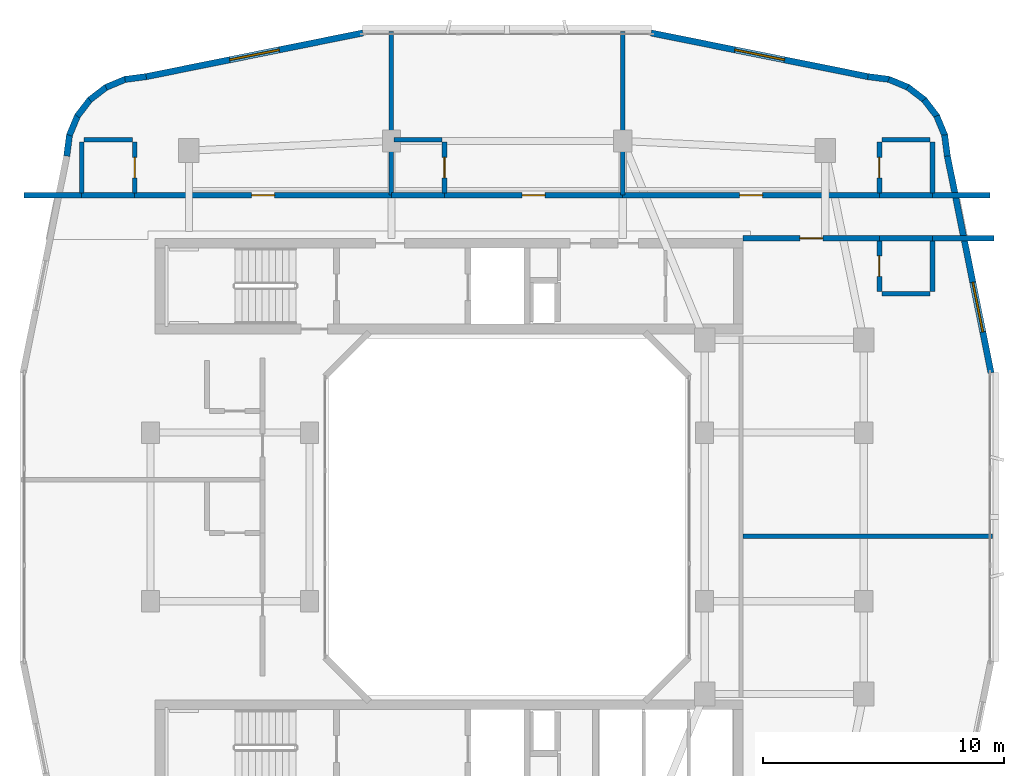
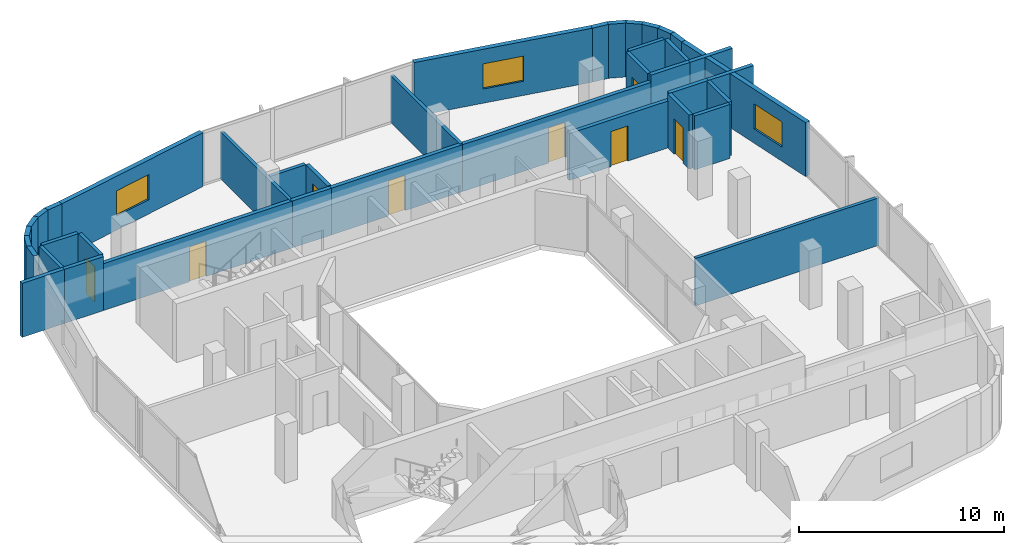
# One storey, part 9 of 14: 40 walls, 8 doors, 3 windows, 11 openings.
"""IFC4 building model written with IfcOpenShell, lengths in metres."""

from ifc_helpers import new_model, si_unit, derived_unit, direction, frame, frame_2d, origin, place, context, subcontext, project, spatial, rectangle, extrude, material, layer, layer_set, type_object, element, fill, save


model = new_model("IFC4")

# Units and contexts
model_context = context("Model", 3, precision=1e-05, world=origin(), true_north=direction((0.0, 1.0)))
body_context = subcontext(model_context, "Body", "Model", "MODEL_VIEW")
ifc_project = project(units=[si_unit("LENGTHUNIT", "METRE"), si_unit("AREAUNIT", "SQUARE_METRE"), si_unit("VOLUMEUNIT", "CUBIC_METRE"), si_unit("PLANEANGLEUNIT", "RADIAN"), si_unit("MASSUNIT", "GRAM", prefix="KILO"), derived_unit("THERMALTRANSMITTANCEUNIT", [(si_unit("POWERUNIT", "WATT"), 1), (si_unit("LENGTHUNIT", "METRE"), -2), (si_unit("THERMODYNAMICTEMPERATUREUNIT", "KELVIN"), -1)])], contexts=[model_context])

# Site, building, storey
site_placement = place(None, origin())
site = spatial("IfcSite", under=ifc_project, at=site_placement, CompositionType="ELEMENT")
building_placement = place(site_placement, origin())
building = spatial("IfcBuilding", under=site, at=building_placement, Name="Kivonza Crest Hotel", CompositionType="ELEMENT")
storey_placement = place(building_placement, frame((0.0, 0.0, 145.0)))
storey = spatial("IfcBuildingStorey", under=building, at=storey_placement, Name="L39", CompositionType="ELEMENT", Elevation=145.0)

# Walls
ifc_material_1 = material(Name="High-density acoustic masonry inter-tenancy wall", Category="masonry")
ifc_layer_1 = layer(ifc_material_1, 0.179931640625)
ifc_layer_set_1 = layer_set([ifc_layer_1], Name="High-density acoustic masonry inter-tenancy wall")
wall_type_1 = type_object("IfcWallType", Name="WL-ACOU-180", PredefinedType="SOLIDWALL", material=ifc_layer_set_1)
for number, where, z_axis, x_axis, name in (
    (1, (16.199951171875, 38.35009765625, 0.0), (0.0, 0.0, 1.0), (0.0, 1.0, 0.0), "L39 interior partition WA-L39-T1N-DIV1"),
    (2, (25.800048828125, 38.35009765625, 0.0), (0.0, 0.0, 1.0), (0.0, 1.0, 0.0), "L39 interior partition WA-L39-T1N-DIV2"),
):
    element("IfcWall", number, at=place(storey_placement, frame(where, z_axis=z_axis, x_axis=x_axis)), inside=storey, type_object=wall_type_1, Name=name, PredefinedType="SOLIDWALL", context=body_context, shape_type="SweptSolid", body=[
        extrude(rectangle(XDim=6.789794921875, YDim=0.179931640625, at=frame_2d((3.39501953125, 0.0))), origin(), (0.0, 0.0, 1.0), 2.794921875),
    ])
wall_1_placement = place(storey_placement, frame((30.800048828125, 24.199951171875, 0.0), z_axis=(0.0, 0.0, 1.0), x_axis=(1.0, 0.0, 0.0)))
element("IfcWall", 3, at=wall_1_placement, inside=storey, type_object=wall_type_1, Name="L39 interior partition WA-L39-T1EC-DIV", PredefinedType="SOLIDWALL", context=body_context, shape_type="SweptSolid", body=[
    extrude(rectangle(XDim=10.33984375, YDim=0.179931640625, at=frame_2d((5.169921875, 0.0))), origin(), (0.0, 0.0, 1.0), 2.8349609375),
])
ifc_material_2 = material(Name="Autoclaved aerated concrete blockwork", Category="masonry")
ifc_layer_2 = layer(ifc_material_2, 0.219970703125)
ifc_layer_set_2 = layer_set([ifc_layer_2], Name="Autoclaved aerated concrete blockwork")
wall_type_2 = type_object("IfcWallType", Name="WL-ACOU-220", PredefinedType="SOLIDWALL", material=ifc_layer_set_2)
wall_2_placement = place(storey_placement, frame((0.9599609375, 38.35009765625, 0.0), z_axis=(0.0, 0.0, 1.0), x_axis=(1.0, 0.0, 0.0)))
element("IfcWall", 4, at=wall_2_placement, inside=storey, type_object=wall_type_2, Name="L39 interior partition WA-L39-N01-XCORR", PredefinedType="SOLIDWALL", context=body_context, shape_type="SweptSolid", body=[
    extrude(rectangle(XDim=2.39013671875, YDim=0.219970703125, at=frame_2d((1.195068359375, 0.0))), origin(), (0.0, 0.0, 1.0), 3.219970703125),
])
wall_3_placement = place(storey_placement, frame((3.35009765625, 38.35009765625, 0.0), z_axis=(0.0, 0.0, 1.0), x_axis=(1.0, 0.0, 0.0)))
element("IfcWall", 5, at=wall_3_placement, inside=storey, type_object=wall_type_2, Name="L39 interior partition WA-L39-N01-BCORR", PredefinedType="SOLIDWALL", context=body_context, shape_type="SweptSolid", body=[
    extrude(rectangle(XDim=2.199951171875, YDim=0.219970703125, at=frame_2d((1.10009765625, 0.0))), origin(), (0.0, 0.0, 1.0), 3.219970703125),
])

# Wall, opening, door
wall_4_placement = place(storey_placement, frame((5.550048828125, 38.35009765625, 0.0), z_axis=(0.0, 0.0, 1.0), x_axis=(1.0, 0.0, 0.0)))
wall_4 = element("IfcWall", 6, at=wall_4_placement, inside=storey, type_object=wall_type_2, Name="L39 interior partition WA-L39-N01-MCORR", PredefinedType="SOLIDWALL", context=body_context, shape_type="SweptSolid", body=[
    extrude(rectangle(XDim=10.64990234375, YDim=0.219970703125, at=frame_2d((5.324951171875, 0.0))), origin(), (0.0, 0.0, 1.0), 2.794921875),
])
opening_1_placement = place(wall_4_placement, frame((4.85009765625, 0.0, 0.0)))
opening_1 = element("IfcOpeningElement", 7, at=opening_1_placement, cuts=wall_4, Name="Opening DU-60", PredefinedType="OPENING", context=body_context, shape_type="SweptSolid", body=[
    extrude(rectangle(XDim=0.949951171875, YDim=2.10009765625, at=frame_2d((0.47509765625, 1.050048828125))), frame((0.0, 0.1201171875, 0.0), z_axis=(0.0, -1.0, 0.0), x_axis=(1.0, 0.0, 0.0)), (0.0, 0.0, 1.0), 0.239990234375),
])
ifc_material_3 = material(Name="Hardwood timber oak", Category="wood")
door_type_1 = type_object("IfcDoorType", Name="DR-UNIT-950", OperationType="NOTDEFINED", PredefinedType="DOOR", material=ifc_material_3)
door_1_placement = place(opening_1_placement, origin())
door_1 = element("IfcDoor", 8, at=door_1_placement, inside=storey, type_object=door_type_1, Name="L39 N01 guest unit entrance fire door", OperationType="SINGLE_SWING_LEFT", OverallHeight=2.10009765625, OverallWidth=0.949951171875, PredefinedType="DOOR", context=body_context, shape_type="SweptSolid", body=[
    extrude(rectangle(XDim=0.949951171875, YDim=2.10009765625, at=frame_2d((0.47509765625, 1.050048828125))), frame((0.0, 0.02490234375, 0.0), z_axis=(0.0, -1.0, 0.0), x_axis=(1.0, 0.0, 0.0)), (0.0, 0.0, 1.0), 0.050048828125),
])
fill(opening_1, door_1)

# Wall
wall_5_placement = place(storey_placement, frame((16.199951171875, 38.35009765625, 0.0), z_axis=(0.0, 0.0, 1.0), x_axis=(1.0, 0.0, 0.0)))
element("IfcWall", 9, at=wall_5_placement, inside=storey, type_object=wall_type_2, Name="L39 interior partition WA-L39-N02-BCORR", PredefinedType="SOLIDWALL", context=body_context, shape_type="SweptSolid", body=[
    extrude(rectangle(XDim=2.199951171875, YDim=0.219970703125, at=frame_2d((1.10009765625, 0.0))), origin(), (0.0, 0.0, 1.0), 2.794921875),
])

# Wall, opening, door
wall_6_placement = place(storey_placement, frame((18.39990234375, 38.35009765625, 0.0), z_axis=(0.0, 0.0, 1.0), x_axis=(1.0, 0.0, 0.0)))
wall_6 = element("IfcWall", 10, at=wall_6_placement, inside=storey, type_object=wall_type_2, Name="L39 interior partition WA-L39-N02-MCORR", PredefinedType="SOLIDWALL", context=body_context, shape_type="SweptSolid", body=[
    extrude(rectangle(XDim=7.400146484375, YDim=0.219970703125, at=frame_2d((3.7001953125, 0.0))), origin(), (0.0, 0.0, 1.0), 2.794921875),
])
opening_2_placement = place(wall_6_placement, frame((3.22509765625, 0.0, 0.0)))
opening_2 = element("IfcOpeningElement", 11, at=opening_2_placement, cuts=wall_6, Name="Opening DU-60", PredefinedType="OPENING", context=body_context, shape_type="SweptSolid", body=[
    extrude(rectangle(XDim=0.949951171875, YDim=2.10009765625, at=frame_2d((0.47509765625, 1.050048828125))), frame((0.0, 0.1201171875, 0.0), z_axis=(0.0, -1.0, 0.0), x_axis=(1.0, 0.0, 0.0)), (0.0, 0.0, 1.0), 0.239990234375),
])
door_2_placement = place(opening_2_placement, origin())
door_2 = element("IfcDoor", 12, at=door_2_placement, inside=storey, type_object=door_type_1, Name="L39 N02 guest unit entrance fire door", OperationType="SINGLE_SWING_RIGHT", OverallHeight=2.10009765625, OverallWidth=0.949951171875, PredefinedType="DOOR", context=body_context, shape_type="SweptSolid", body=[
    extrude(rectangle(XDim=0.949951171875, YDim=2.10009765625, at=frame_2d((0.47509765625, 1.050048828125))), frame((0.0, 0.02490234375, 0.0), z_axis=(0.0, -1.0, 0.0), x_axis=(1.0, 0.0, 0.0)), (0.0, 0.0, 1.0), 0.050048828125),
])
fill(opening_2, door_2)

# Walls
wall_7_placement = place(storey_placement, frame((38.64990234375, 38.35009765625, 0.0), z_axis=(0.0, 0.0, 1.0), x_axis=(1.0, 0.0, 0.0)))
element("IfcWall", 13, at=wall_7_placement, inside=storey, type_object=wall_type_2, Name="L39 interior partition WA-L39-N03-XCORR", PredefinedType="SOLIDWALL", context=body_context, shape_type="SweptSolid", body=[
    extrude(rectangle(XDim=2.39013671875, YDim=0.219970703125, at=frame_2d((1.195068359375, 0.0))), origin(), (0.0, 0.0, 1.0), 3.219970703125),
])
wall_8_placement = place(storey_placement, frame((36.449951171875, 38.35009765625, 0.0), z_axis=(0.0, 0.0, 1.0), x_axis=(1.0, 0.0, 0.0)))
element("IfcWall", 14, at=wall_8_placement, inside=storey, type_object=wall_type_2, Name="L39 interior partition WA-L39-N03-BCORR", PredefinedType="SOLIDWALL", context=body_context, shape_type="SweptSolid", body=[
    extrude(rectangle(XDim=2.199951171875, YDim=0.219970703125, at=frame_2d((1.10009765625, 0.0))), origin(), (0.0, 0.0, 1.0), 3.219970703125),
])

# Wall, opening, door
wall_9_placement = place(storey_placement, frame((25.800048828125, 38.35009765625, 0.0), z_axis=(0.0, 0.0, 1.0), x_axis=(1.0, 0.0, 0.0)))
wall_9 = element("IfcWall", 15, at=wall_9_placement, inside=storey, type_object=wall_type_2, Name="L39 interior partition WA-L39-N03-MCORR", PredefinedType="SOLIDWALL", context=body_context, shape_type="SweptSolid", body=[
    extrude(rectangle(XDim=10.64990234375, YDim=0.219970703125, at=frame_2d((5.324951171875, 0.0))), origin(), (0.0, 0.0, 1.0), 2.794921875),
])
opening_3_placement = place(wall_9_placement, frame((4.85009765625, 0.0, 0.0)))
opening_3 = element("IfcOpeningElement", 16, at=opening_3_placement, cuts=wall_9, Name="Opening DU-60", PredefinedType="OPENING", context=body_context, shape_type="SweptSolid", body=[
    extrude(rectangle(XDim=0.949951171875, YDim=2.10009765625, at=frame_2d((0.47509765625, 1.050048828125))), frame((0.0, 0.1201171875, 0.0), z_axis=(0.0, -1.0, 0.0), x_axis=(1.0, 0.0, 0.0)), (0.0, 0.0, 1.0), 0.239990234375),
])
door_3_placement = place(opening_3_placement, origin())
door_3 = element("IfcDoor", 17, at=door_3_placement, inside=storey, type_object=door_type_1, Name="L39 N03 guest unit entrance fire door", OperationType="SINGLE_SWING_LEFT", OverallHeight=2.10009765625, OverallWidth=0.949951171875, PredefinedType="DOOR", context=body_context, shape_type="SweptSolid", body=[
    extrude(rectangle(XDim=0.949951171875, YDim=2.10009765625, at=frame_2d((0.47509765625, 1.050048828125))), frame((0.0, 0.02490234375, 0.0), z_axis=(0.0, -1.0, 0.0), x_axis=(1.0, 0.0, 0.0)), (0.0, 0.0, 1.0), 0.050048828125),
])
fill(opening_3, door_3)

# Walls
wall_10_placement = place(storey_placement, frame((38.64990234375, 36.56005859375, 0.0), z_axis=(0.0, 0.0, 1.0), x_axis=(1.0, 0.0, 0.0)))
element("IfcWall", 18, at=wall_10_placement, inside=storey, type_object=wall_type_2, Name="L39 interior partition WA-L39-EN10-XCORR", PredefinedType="SOLIDWALL", context=body_context, shape_type="SweptSolid", body=[
    extrude(rectangle(XDim=2.550048828125, YDim=0.219970703125, at=frame_2d((1.27490234375, 0.0))), origin(), (0.0, 0.0, 1.0), 3.219970703125),
])
wall_11_placement = place(storey_placement, frame((36.449951171875, 36.56005859375, 0.0), z_axis=(0.0, 0.0, 1.0), x_axis=(1.0, 0.0, 0.0)))
element("IfcWall", 19, at=wall_11_placement, inside=storey, type_object=wall_type_2, Name="L39 interior partition WA-L39-EN10-BCORR", PredefinedType="SOLIDWALL", context=body_context, shape_type="SweptSolid", body=[
    extrude(rectangle(XDim=2.199951171875, YDim=0.219970703125, at=frame_2d((1.10009765625, 0.0))), origin(), (0.0, 0.0, 1.0), 3.219970703125),
])

# Wall, opening, door
wall_12_placement = place(storey_placement, frame((30.800048828125, 36.56005859375, 0.0), z_axis=(0.0, 0.0, 1.0), x_axis=(1.0, 0.0, 0.0)))
wall_12 = element("IfcWall", 20, at=wall_12_placement, inside=storey, type_object=wall_type_2, Name="L39 interior partition WA-L39-EN10-MCORR", PredefinedType="SOLIDWALL", context=body_context, shape_type="SweptSolid", body=[
    extrude(rectangle(XDim=5.64990234375, YDim=0.219970703125, at=frame_2d((2.824951171875, 0.0))), origin(), (0.0, 0.0, 1.0), 2.794921875),
])
opening_4_placement = place(wall_12_placement, frame((2.35009765625, 0.0, 0.0)))
opening_4 = element("IfcOpeningElement", 21, at=opening_4_placement, cuts=wall_12, Name="Opening DU-60", PredefinedType="OPENING", context=body_context, shape_type="SweptSolid", body=[
    extrude(rectangle(XDim=0.949951171875, YDim=2.10009765625, at=frame_2d((0.47509765625, 1.050048828125))), frame((0.0, 0.1201171875, 0.0), z_axis=(0.0, -1.0, 0.0), x_axis=(1.0, 0.0, 0.0)), (0.0, 0.0, 1.0), 0.239990234375),
])
door_4_placement = place(opening_4_placement, frame((0.949951171875, 0.0, 0.0), z_axis=(0.0, 0.0, 1.0), x_axis=(-1.0, 0.0, 0.0)))
door_4 = element("IfcDoor", 22, at=door_4_placement, inside=storey, type_object=door_type_1, Name="L39 EN10 guest unit entrance fire door", OperationType="SINGLE_SWING_LEFT", OverallHeight=2.10009765625, OverallWidth=0.949951171875, PredefinedType="DOOR", context=body_context, shape_type="SweptSolid", body=[
    extrude(rectangle(XDim=0.949951171875, YDim=2.10009765625, at=frame_2d((0.47509765625, 1.050048828125))), frame((0.0, 0.02490234375, 0.0), z_axis=(0.0, -1.0, 0.0), x_axis=(1.0, 0.0, 0.0)), (0.0, 0.0, 1.0), 0.050048828125),
])
fill(opening_4, door_4)

# Wall, opening, window
ifc_material_4 = material(Name="Precast concrete C40/50", Category="concrete")
ifc_layer_3 = layer(ifc_material_4, 0.260009765625)
ifc_layer_set_3 = layer_set([ifc_layer_3], Name="Precast concrete C40/50")
wall_type_3 = type_object("IfcWallType", Name="WL-EXT-260", PredefinedType="STANDARD", material=ifc_layer_set_3)
wall_13_placement = place(storey_placement, frame((41.083984375, 30.97998046875, 0.0), z_axis=(0.0, 0.0, 1.0), x_axis=(-0.197435082048, 0.980315963543, 0.0)))
wall_13 = element("IfcWall", 23, at=wall_13_placement, inside=storey, type_object=wall_type_3, Name="L39 T1 exterior insulated wall 18", PredefinedType="STANDARD", context=body_context, shape_type="SweptSolid", body=[
    extrude(rectangle(XDim=9.1826171875, YDim=0.260009765625, at=frame_2d((4.59130859375, 0.0))), origin(), (0.0, 0.0, 1.0), 3.219970703125),
])
opening_5_placement = place(wall_13_placement, frame((1.73388671875, 0.0, 0.85009765625)))
opening_5 = element("IfcOpeningElement", 24, at=opening_5_placement, cuts=wall_13, Name="Opening WN-04", PredefinedType="OPENING", context=body_context, shape_type="SweptSolid", body=[
    extrude(rectangle(XDim=2.10009765625, YDim=1.5, at=frame_2d((1.050048828125, 0.75))), frame((0.0, 0.14013671875, 0.0), z_axis=(0.0, -1.0, 0.0), x_axis=(1.0, 0.0, 0.0)), (0.0, 0.0, 1.0), 0.280029296875),
])
ifc_material_5 = material(Name="Thermally broken bronze aluminium and low-E double glazing", Category="aluminium")
window_type = type_object("IfcWindowType", Name="WN-210x150", PartitioningType="DOUBLE_PANEL_VERTICAL", PredefinedType="WINDOW", material=ifc_material_5)
window_1_placement = place(opening_5_placement, origin())
window_1 = element("IfcWindow", 25, at=window_1_placement, inside=storey, type_object=window_type, Name="L39 T1 facade window 18", OverallHeight=1.5, OverallWidth=2.10009765625, PartitioningType="SINGLE_PANEL", PredefinedType="WINDOW", context=body_context, shape_type="SweptSolid", body=[
    extrude(rectangle(XDim=2.10009765625, YDim=1.5, at=frame_2d((1.050048828125, 0.75))), frame((0.0, 0.030029296875, 0.0), z_axis=(0.0, -1.0, 0.0), x_axis=(1.0, 0.0, 0.0)), (0.0, 0.0, 1.0), 0.06005859375),
])
fill(opening_5, window_1)

# Walls
wall_14_placement = place(storey_placement, frame((39.27197265625, 39.97509765625, 0.0), z_axis=(0.0, 0.0, 1.0), x_axis=(-0.130953706898, 0.991388484223, 0.0)))
element("IfcWall", 26, at=wall_14_placement, inside=storey, type_object=wall_type_3, Name="L39 T1 exterior insulated wall 19", PredefinedType="STANDARD", context=body_context, shape_type="SweptSolid", body=[
    extrude(rectangle(XDim=0.885498046875, YDim=0.260009765625, at=frame_2d((0.44287109375, 0.0))), origin(), (0.0, 0.0, 1.0), 3.219970703125),
])
wall_15_placement = place(storey_placement, frame((39.174072265625, 40.806884765625, 0.0), z_axis=(0.0, 0.0, 1.0), x_axis=(-0.383290660547, 0.923627776508, 0.0)))
element("IfcWall", 27, at=wall_15_placement, inside=storey, type_object=wall_type_3, Name="L39 T1 exterior insulated wall 20", PredefinedType="STANDARD", context=body_context, shape_type="SweptSolid", body=[
    extrude(rectangle(XDim=0.9033203125, YDim=0.260009765625, at=frame_2d((0.45166015625, 0.0))), origin(), (0.0, 0.0, 1.0), 3.219970703125),
])
wall_16_placement = place(storey_placement, frame((38.85595703125, 41.60107421875, 0.0), z_axis=(0.0, 0.0, 1.0), x_axis=(-0.608624690463, 0.793458244748, 0.0)))
element("IfcWall", 28, at=wall_16_placement, inside=storey, type_object=wall_type_3, Name="L39 T1 exterior insulated wall 21", PredefinedType="STANDARD", context=body_context, shape_type="SweptSolid", body=[
    extrude(rectangle(XDim=0.902099609375, YDim=0.260009765625, at=frame_2d((0.451171875, 0.0))), origin(), (0.0, 0.0, 1.0), 3.219970703125),
])
wall_17_placement = place(storey_placement, frame((38.344970703125, 42.285888671875, 0.0), z_axis=(0.0, 0.0, 1.0), x_axis=(-0.793558456666, 0.608494022858, 0.0)))
element("IfcWall", 29, at=wall_17_placement, inside=storey, type_object=wall_type_3, Name="L39 T1 exterior insulated wall 22", PredefinedType="STANDARD", context=body_context, shape_type="SweptSolid", body=[
    extrude(rectangle(XDim=0.90234375, YDim=0.260009765625, at=frame_2d((0.451171875, 0.0))), origin(), (0.0, 0.0, 1.0), 3.219970703125),
])
wall_18_placement = place(storey_placement, frame((37.673095703125, 42.81396484375, 0.0), z_axis=(0.0, 0.0, 1.0), x_axis=(-0.923683767999, 0.383155708213, 0.0)))
element("IfcWall", 30, at=wall_18_placement, inside=storey, type_object=wall_type_3, Name="L39 T1 exterior insulated wall 23", PredefinedType="STANDARD", context=body_context, shape_type="SweptSolid", body=[
    extrude(rectangle(XDim=0.90283203125, YDim=0.260009765625, at=frame_2d((0.451416015625, 0.0))), origin(), (0.0, 0.0, 1.0), 3.219970703125),
])
wall_19_placement = place(storey_placement, frame((36.887939453125, 43.152099609375, 0.0), z_axis=(0.0, 0.0, 1.0), x_axis=(-0.991487658083, 0.130200706103, 0.0)))
element("IfcWall", 31, at=wall_19_placement, inside=storey, type_object=wall_type_3, Name="L39 T1 exterior insulated wall 24", PredefinedType="STANDARD", context=body_context, shape_type="SweptSolid", body=[
    extrude(rectangle(XDim=0.920654296875, YDim=0.260009765625, at=frame_2d((0.46044921875, 0.0))), origin(), (0.0, 0.0, 1.0), 3.219970703125),
])

# Wall, opening, window
wall_20_placement = place(storey_placement, frame((35.98193359375, 43.27099609375, 0.0), z_axis=(0.0, 0.0, 1.0), x_axis=(-0.980315963543, 0.197435082048, 0.0)))
wall_20 = element("IfcWall", 32, at=wall_20_placement, inside=storey, type_object=wall_type_3, Name="L39 T1 exterior insulated wall 25", PredefinedType="STANDARD", context=body_context, shape_type="SweptSolid", body=[
    extrude(rectangle(XDim=9.1826171875, YDim=0.260009765625, at=frame_2d((4.59130859375, 0.0))), origin(), (0.0, 0.0, 1.0), 3.219970703125),
])
opening_6_placement = place(wall_20_placement, frame((3.541015625, 0.0, 0.85009765625)))
opening_6 = element("IfcOpeningElement", 33, at=opening_6_placement, cuts=wall_20, Name="Opening WN-04", PredefinedType="OPENING", context=body_context, shape_type="SweptSolid", body=[
    extrude(rectangle(XDim=2.10009765625, YDim=1.5, at=frame_2d((1.050048828125, 0.75))), frame((0.0, 0.14013671875, 0.0), z_axis=(0.0, -1.0, 0.0), x_axis=(1.0, 0.0, 0.0)), (0.0, 0.0, 1.0), 0.280029296875),
])
window_2_placement = place(opening_6_placement, origin())
window_2 = element("IfcWindow", 34, at=window_2_placement, inside=storey, type_object=window_type, Name="L39 T1 facade window 25", OverallHeight=1.5, OverallWidth=2.10009765625, PartitioningType="SINGLE_PANEL", PredefinedType="WINDOW", context=body_context, shape_type="SweptSolid", body=[
    extrude(rectangle(XDim=2.10009765625, YDim=1.5, at=frame_2d((1.050048828125, 0.75))), frame((0.0, 0.030029296875, 0.0), z_axis=(0.0, -1.0, 0.0), x_axis=(1.0, 0.0, 0.0)), (0.0, 0.0, 1.0), 0.06005859375),
])
fill(opening_6, window_2)

wall_21_placement = place(storey_placement, frame((15.02001953125, 45.083984375, 0.0), z_axis=(0.0, 0.0, 1.0), x_axis=(-0.980315963543, -0.197435082048, 0.0)))
wall_21 = element("IfcWall", 35, at=wall_21_placement, inside=storey, type_object=wall_type_3, Name="L39 T1 exterior insulated wall 27", PredefinedType="STANDARD", context=body_context, shape_type="SweptSolid", body=[
    extrude(rectangle(XDim=9.1826171875, YDim=0.260009765625, at=frame_2d((4.59130859375, 0.0))), origin(), (0.0, 0.0, 1.0), 3.219970703125),
])
opening_7_placement = place(wall_21_placement, frame((3.541015625, 0.0, 0.85009765625)))
opening_7 = element("IfcOpeningElement", 36, at=opening_7_placement, cuts=wall_21, Name="Opening WN-04", PredefinedType="OPENING", context=body_context, shape_type="SweptSolid", body=[
    extrude(rectangle(XDim=2.10009765625, YDim=1.5, at=frame_2d((1.050048828125, 0.75))), frame((0.0, 0.14013671875, 0.0), z_axis=(0.0, -1.0, 0.0), x_axis=(1.0, 0.0, 0.0)), (0.0, 0.0, 1.0), 0.280029296875),
])
window_3_placement = place(opening_7_placement, origin())
window_3 = element("IfcWindow", 37, at=window_3_placement, inside=storey, type_object=window_type, Name="L39 T1 facade window 27", OverallHeight=1.5, OverallWidth=2.10009765625, PartitioningType="SINGLE_PANEL", PredefinedType="WINDOW", context=body_context, shape_type="SweptSolid", body=[
    extrude(rectangle(XDim=2.10009765625, YDim=1.5, at=frame_2d((1.050048828125, 0.75))), frame((0.0, 0.030029296875, 0.0), z_axis=(0.0, -1.0, 0.0), x_axis=(1.0, 0.0, 0.0)), (0.0, 0.0, 1.0), 0.06005859375),
])
fill(opening_7, window_3)

# Walls
wall_22_placement = place(storey_placement, frame((6.02490234375, 43.27197265625, 0.0), z_axis=(0.0, 0.0, 1.0), x_axis=(-0.991388484223, -0.130953706898, 0.0)))
element("IfcWall", 38, at=wall_22_placement, inside=storey, type_object=wall_type_3, Name="L39 T1 exterior insulated wall 28", PredefinedType="STANDARD", context=body_context, shape_type="SweptSolid", body=[
    extrude(rectangle(XDim=0.885498046875, YDim=0.260009765625, at=frame_2d((0.44287109375, 0.0))), origin(), (0.0, 0.0, 1.0), 3.219970703125),
])
wall_23_placement = place(storey_placement, frame((5.193115234375, 43.174072265625, 0.0), z_axis=(0.0, 0.0, 1.0), x_axis=(-0.923627776508, -0.383290660547, 0.0)))
element("IfcWall", 39, at=wall_23_placement, inside=storey, type_object=wall_type_3, Name="L39 T1 exterior insulated wall 29", PredefinedType="STANDARD", context=body_context, shape_type="SweptSolid", body=[
    extrude(rectangle(XDim=0.9033203125, YDim=0.260009765625, at=frame_2d((0.45166015625, 0.0))), origin(), (0.0, 0.0, 1.0), 3.219970703125),
])
wall_24_placement = place(storey_placement, frame((4.39892578125, 42.85595703125, 0.0), z_axis=(0.0, 0.0, 1.0), x_axis=(-0.793458244748, -0.608624690463, 0.0)))
element("IfcWall", 40, at=wall_24_placement, inside=storey, type_object=wall_type_3, Name="L39 T1 exterior insulated wall 30", PredefinedType="STANDARD", context=body_context, shape_type="SweptSolid", body=[
    extrude(rectangle(XDim=0.902099609375, YDim=0.260009765625, at=frame_2d((0.451171875, 0.0))), origin(), (0.0, 0.0, 1.0), 3.219970703125),
])
wall_25_placement = place(storey_placement, frame((3.714111328125, 42.344970703125, 0.0), z_axis=(0.0, 0.0, 1.0), x_axis=(-0.608494022858, -0.793558456666, 0.0)))
element("IfcWall", 41, at=wall_25_placement, inside=storey, type_object=wall_type_3, Name="L39 T1 exterior insulated wall 31", PredefinedType="STANDARD", context=body_context, shape_type="SweptSolid", body=[
    extrude(rectangle(XDim=0.90234375, YDim=0.260009765625, at=frame_2d((0.451171875, 0.0))), origin(), (0.0, 0.0, 1.0), 3.219970703125),
])
wall_26_placement = place(storey_placement, frame((3.18603515625, 41.673095703125, 0.0), z_axis=(0.0, 0.0, 1.0), x_axis=(-0.383155708213, -0.923683767999, 0.0)))
element("IfcWall", 42, at=wall_26_placement, inside=storey, type_object=wall_type_3, Name="L39 T1 exterior insulated wall 32", PredefinedType="STANDARD", context=body_context, shape_type="SweptSolid", body=[
    extrude(rectangle(XDim=0.90283203125, YDim=0.260009765625, at=frame_2d((0.451416015625, 0.0))), origin(), (0.0, 0.0, 1.0), 3.219970703125),
])
wall_27_placement = place(storey_placement, frame((2.847900390625, 40.887939453125, 0.0), z_axis=(0.0, 0.0, 1.0), x_axis=(-0.130200706103, -0.991487658083, 0.0)))
element("IfcWall", 43, at=wall_27_placement, inside=storey, type_object=wall_type_3, Name="L39 T1 exterior insulated wall 33", PredefinedType="STANDARD", context=body_context, shape_type="SweptSolid", body=[
    extrude(rectangle(XDim=0.920654296875, YDim=0.260009765625, at=frame_2d((0.46044921875, 0.0))), origin(), (0.0, 0.0, 1.0), 3.219970703125),
])

# Wall, opening, door
ifc_material_6 = material(Name="Moisture-resistant plumbing chase partition wall", Category="gypsum")
ifc_layer_4 = layer(ifc_material_6, 0.199951171875)
ifc_layer_set_4 = layer_set([ifc_layer_4], Name="Moisture-resistant plumbing chase partition wall")
wall_type_4 = type_object("IfcWallType", Name="WL-PLUMB-200", PredefinedType="PLUMBINGWALL", material=ifc_layer_set_4)
wall_28_placement = place(storey_placement, frame((5.550048828125, 38.449951171875, 0.0), z_axis=(0.0, 0.0, 1.0), x_axis=(0.0, 1.0, 0.0)))
wall_28 = element("IfcWall", 44, at=wall_28_placement, inside=storey, type_object=wall_type_4, Name="L39 interior partition WW-L39-N01-BV", PredefinedType="PLUMBINGWALL", context=body_context, shape_type="SweptSolid", body=[
    extrude(rectangle(XDim=2.10009765625, YDim=0.199951171875, at=frame_2d((1.050048828125, 0.0))), origin(), (0.0, 0.0, 1.0), 3.219970703125),
])
opening_8_placement = place(wall_28_placement, frame((0.625, 0.0, 0.0)))
opening_8 = element("IfcOpeningElement", 45, at=opening_8_placement, cuts=wall_28, Name="Opening DI-85", PredefinedType="OPENING", context=body_context, shape_type="SweptSolid", body=[
    extrude(rectangle(XDim=0.85009765625, YDim=2.10009765625, at=frame_2d((0.425048828125, 1.050048828125))), frame((0.0, 0.10986328125, 0.0), z_axis=(0.0, -1.0, 0.0), x_axis=(1.0, 0.0, 0.0)), (0.0, 0.0, 1.0), 0.219970703125),
])
door_type_2 = type_object("IfcDoorType", Name="DR-INT-850", OperationType="NOTDEFINED", PredefinedType="DOOR", material=ifc_material_3)
door_5_placement = place(opening_8_placement, frame((0.85009765625, 0.0, 0.0), z_axis=(0.0, 0.0, 1.0), x_axis=(-1.0, 0.0, 0.0)))
door_5 = element("IfcDoor", 46, at=door_5_placement, inside=storey, type_object=door_type_2, Name="L39 N01 en-suite bathroom door", OperationType="SINGLE_SWING_RIGHT", OverallHeight=2.10009765625, OverallWidth=0.85009765625, PredefinedType="DOOR", context=body_context, shape_type="SweptSolid", body=[
    extrude(rectangle(XDim=0.85009765625, YDim=2.10009765625, at=frame_2d((0.425048828125, 1.050048828125))), frame((0.0, 0.02490234375, 0.0), z_axis=(0.0, -1.0, 0.0), x_axis=(1.0, 0.0, 0.0)), (0.0, 0.0, 1.0), 0.050048828125),
])
fill(opening_8, door_5)

# Walls
wall_29_placement = place(storey_placement, frame((3.449951171875, 40.64990234375, 0.0), z_axis=(0.0, 0.0, 1.0), x_axis=(1.0, 0.0, 0.0)))
element("IfcWall", 47, at=wall_29_placement, inside=storey, type_object=wall_type_4, Name="L39 interior partition WW-L39-N01-BH", PredefinedType="PLUMBINGWALL", context=body_context, shape_type="SweptSolid", body=[
    extrude(rectangle(XDim=2.0, YDim=0.199951171875, at=frame_2d((1.0, 0.0))), origin(), (0.0, 0.0, 1.0), 3.219970703125),
])
wall_30_placement = place(storey_placement, frame((3.35009765625, 38.449951171875, 0.0), z_axis=(0.0, 0.0, 1.0), x_axis=(0.0, 1.0, 0.0)))
element("IfcWall", 48, at=wall_30_placement, inside=storey, type_object=wall_type_4, Name="L39 interior partition WW-L39-N01-BVW", PredefinedType="PLUMBINGWALL", context=body_context, shape_type="SweptSolid", body=[
    extrude(rectangle(XDim=2.10009765625, YDim=0.199951171875, at=frame_2d((1.050048828125, 0.0))), origin(), (0.0, 0.0, 1.0), 3.219970703125),
])

# Wall, opening, door
wall_31_placement = place(storey_placement, frame((18.39990234375, 38.449951171875, 0.0), z_axis=(0.0, 0.0, 1.0), x_axis=(0.0, 1.0, 0.0)))
wall_31 = element("IfcWall", 49, at=wall_31_placement, inside=storey, type_object=wall_type_4, Name="L39 interior partition WW-L39-N02-BV", PredefinedType="PLUMBINGWALL", context=body_context, shape_type="SweptSolid", body=[
    extrude(rectangle(XDim=2.10009765625, YDim=0.199951171875, at=frame_2d((1.050048828125, 0.0))), origin(), (0.0, 0.0, 1.0), 2.8349609375),
])
opening_9_placement = place(wall_31_placement, frame((0.625, 0.0, 0.0)))
opening_9 = element("IfcOpeningElement", 50, at=opening_9_placement, cuts=wall_31, Name="Opening DI-85", PredefinedType="OPENING", context=body_context, shape_type="SweptSolid", body=[
    extrude(rectangle(XDim=0.85009765625, YDim=2.10009765625, at=frame_2d((0.425048828125, 1.050048828125))), frame((0.0, 0.10986328125, 0.0), z_axis=(0.0, -1.0, 0.0), x_axis=(1.0, 0.0, 0.0)), (0.0, 0.0, 1.0), 0.219970703125),
])
door_6_placement = place(opening_9_placement, frame((0.85009765625, 0.0, 0.0), z_axis=(0.0, 0.0, 1.0), x_axis=(-1.0, 0.0, 0.0)))
door_6 = element("IfcDoor", 51, at=door_6_placement, inside=storey, type_object=door_type_2, Name="L39 N02 en-suite bathroom door", OperationType="SINGLE_SWING_LEFT", OverallHeight=2.10009765625, OverallWidth=0.85009765625, PredefinedType="DOOR", context=body_context, shape_type="SweptSolid", body=[
    extrude(rectangle(XDim=0.85009765625, YDim=2.10009765625, at=frame_2d((0.425048828125, 1.050048828125))), frame((0.0, 0.02490234375, 0.0), z_axis=(0.0, -1.0, 0.0), x_axis=(1.0, 0.0, 0.0)), (0.0, 0.0, 1.0), 0.050048828125),
])
fill(opening_9, door_6)

# Wall
wall_32_placement = place(storey_placement, frame((16.300048828125, 40.64990234375, 0.0), z_axis=(0.0, 0.0, 1.0), x_axis=(1.0, 0.0, 0.0)))
element("IfcWall", 52, at=wall_32_placement, inside=storey, type_object=wall_type_4, Name="L39 interior partition WW-L39-N02-BH", PredefinedType="PLUMBINGWALL", context=body_context, shape_type="SweptSolid", body=[
    extrude(rectangle(XDim=2.0, YDim=0.199951171875, at=frame_2d((1.0, 0.0))), origin(), (0.0, 0.0, 1.0), 2.8349609375),
])

# Wall, opening, door
wall_33_placement = place(storey_placement, frame((36.449951171875, 38.449951171875, 0.0), z_axis=(0.0, 0.0, 1.0), x_axis=(0.0, 1.0, 0.0)))
wall_33 = element("IfcWall", 53, at=wall_33_placement, inside=storey, type_object=wall_type_4, Name="L39 interior partition WW-L39-N03-BV", PredefinedType="PLUMBINGWALL", context=body_context, shape_type="SweptSolid", body=[
    extrude(rectangle(XDim=2.10009765625, YDim=0.199951171875, at=frame_2d((1.050048828125, 0.0))), origin(), (0.0, 0.0, 1.0), 3.219970703125),
])
opening_10_placement = place(wall_33_placement, frame((0.625, 0.0, 0.0)))
opening_10 = element("IfcOpeningElement", 54, at=opening_10_placement, cuts=wall_33, Name="Opening DI-85", PredefinedType="OPENING", context=body_context, shape_type="SweptSolid", body=[
    extrude(rectangle(XDim=0.85009765625, YDim=2.10009765625, at=frame_2d((0.425048828125, 1.050048828125))), frame((0.0, 0.10986328125, 0.0), z_axis=(0.0, -1.0, 0.0), x_axis=(1.0, 0.0, 0.0)), (0.0, 0.0, 1.0), 0.219970703125),
])
door_7_placement = place(opening_10_placement, origin())
door_7 = element("IfcDoor", 55, at=door_7_placement, inside=storey, type_object=door_type_2, Name="L39 N03 en-suite bathroom door", OperationType="SINGLE_SWING_RIGHT", OverallHeight=2.10009765625, OverallWidth=0.85009765625, PredefinedType="DOOR", context=body_context, shape_type="SweptSolid", body=[
    extrude(rectangle(XDim=0.85009765625, YDim=2.10009765625, at=frame_2d((0.425048828125, 1.050048828125))), frame((0.0, 0.02490234375, 0.0), z_axis=(0.0, -1.0, 0.0), x_axis=(1.0, 0.0, 0.0)), (0.0, 0.0, 1.0), 0.050048828125),
])
fill(opening_10, door_7)

# Walls
wall_34_placement = place(storey_placement, frame((36.550048828125, 40.64990234375, 0.0), z_axis=(0.0, 0.0, 1.0), x_axis=(1.0, 0.0, 0.0)))
element("IfcWall", 56, at=wall_34_placement, inside=storey, type_object=wall_type_4, Name="L39 interior partition WW-L39-N03-BH", PredefinedType="PLUMBINGWALL", context=body_context, shape_type="SweptSolid", body=[
    extrude(rectangle(XDim=2.0, YDim=0.199951171875, at=frame_2d((1.0, 0.0))), origin(), (0.0, 0.0, 1.0), 3.219970703125),
])
wall_35_placement = place(storey_placement, frame((38.64990234375, 38.449951171875, 0.0), z_axis=(0.0, 0.0, 1.0), x_axis=(0.0, 1.0, 0.0)))
element("IfcWall", 57, at=wall_35_placement, inside=storey, type_object=wall_type_4, Name="L39 interior partition WW-L39-N03-BVE", PredefinedType="PLUMBINGWALL", context=body_context, shape_type="SweptSolid", body=[
    extrude(rectangle(XDim=2.10009765625, YDim=0.199951171875, at=frame_2d((1.050048828125, 0.0))), origin(), (0.0, 0.0, 1.0), 3.219970703125),
])

# Wall, opening, door
wall_36_placement = place(storey_placement, frame((36.449951171875, 34.360107421875, 0.0), z_axis=(0.0, 0.0, 1.0), x_axis=(0.0, 1.0, 0.0)))
wall_36 = element("IfcWall", 58, at=wall_36_placement, inside=storey, type_object=wall_type_4, Name="L39 interior partition WW-L39-EN10-BV", PredefinedType="PLUMBINGWALL", context=body_context, shape_type="SweptSolid", body=[
    extrude(rectangle(XDim=2.099853515625, YDim=0.199951171875, at=frame_2d((1.0498046875, 0.0))), origin(), (0.0, 0.0, 1.0), 3.219970703125),
])
opening_11_placement = place(wall_36_placement, frame((0.625, 0.0, 0.0)))
opening_11 = element("IfcOpeningElement", 59, at=opening_11_placement, cuts=wall_36, Name="Opening DI-85", PredefinedType="OPENING", context=body_context, shape_type="SweptSolid", body=[
    extrude(rectangle(XDim=0.85009765625, YDim=2.10009765625, at=frame_2d((0.425048828125, 1.050048828125))), frame((0.0, 0.10986328125, 0.0), z_axis=(0.0, -1.0, 0.0), x_axis=(1.0, 0.0, 0.0)), (0.0, 0.0, 1.0), 0.219970703125),
])
door_8_placement = place(opening_11_placement, origin())
door_8 = element("IfcDoor", 60, at=door_8_placement, inside=storey, type_object=door_type_2, Name="L39 EN10 en-suite bathroom door", OperationType="SINGLE_SWING_RIGHT", OverallHeight=2.10009765625, OverallWidth=0.85009765625, PredefinedType="DOOR", context=body_context, shape_type="SweptSolid", body=[
    extrude(rectangle(XDim=0.85009765625, YDim=2.10009765625, at=frame_2d((0.425048828125, 1.050048828125))), frame((0.0, 0.02490234375, 0.0), z_axis=(0.0, -1.0, 0.0), x_axis=(1.0, 0.0, 0.0)), (0.0, 0.0, 1.0), 0.050048828125),
])
fill(opening_11, door_8)

# Walls
wall_37_placement = place(storey_placement, frame((36.550048828125, 34.260009765625, 0.0), z_axis=(0.0, 0.0, 1.0), x_axis=(1.0, 0.0, 0.0)))
element("IfcWall", 61, at=wall_37_placement, inside=storey, type_object=wall_type_4, Name="L39 interior partition WW-L39-EN10-BH", PredefinedType="PLUMBINGWALL", context=body_context, shape_type="SweptSolid", body=[
    extrude(rectangle(XDim=2.0, YDim=0.199951171875, at=frame_2d((1.0, 0.0))), origin(), (0.0, 0.0, 1.0), 3.219970703125),
])
wall_38_placement = place(storey_placement, frame((38.64990234375, 34.360107421875, 0.0), z_axis=(0.0, 0.0, 1.0), x_axis=(0.0, 1.0, 0.0)))
element("IfcWall", 62, at=wall_38_placement, inside=storey, type_object=wall_type_4, Name="L39 interior partition WW-L39-EN10-BVE", PredefinedType="PLUMBINGWALL", context=body_context, shape_type="SweptSolid", body=[
    extrude(rectangle(XDim=2.099853515625, YDim=0.199951171875, at=frame_2d((1.0498046875, 0.0))), origin(), (0.0, 0.0, 1.0), 3.219970703125),
])

save(model, "model.ifc")
